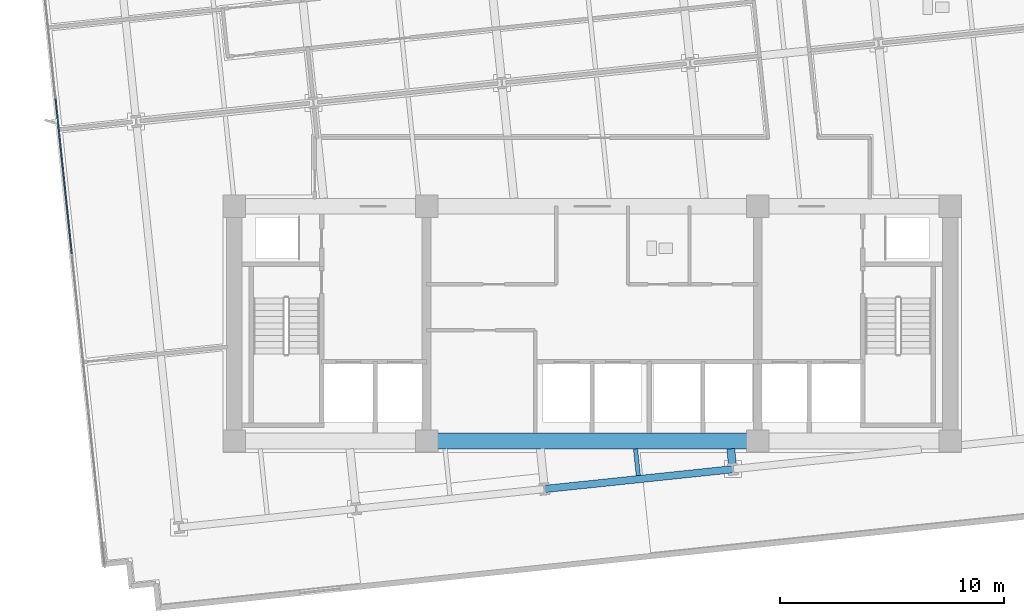
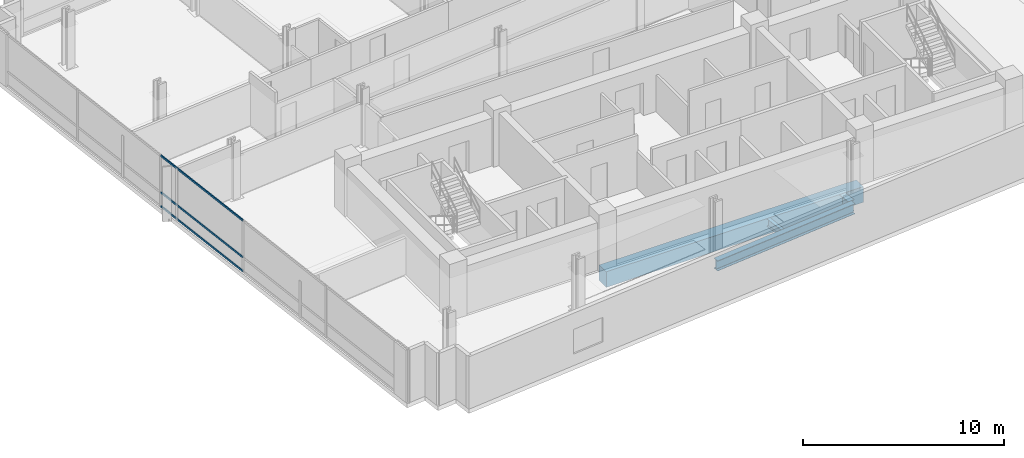
# One storey, part 3 of 20: 4 beams, 3 members, 1 element without a shape of its own.
"""IFC4 building model written with IfcOpenShell, lengths in metres."""

from ifc_helpers import new_model, si_unit, direction, frame, origin, origin_2d, place, context, subcontext, project, spatial, rectangle, i_section, extrude, material, material_profile, profile_set, type_object, element, aggregate, save


model = new_model("IFC4")

# Units and contexts
model_context = context("Model", 3, precision=1e-05, world=origin(), true_north=direction((0.0, 1.0)))
body_context = subcontext(model_context, "Body", "Model", "MODEL_VIEW")
ifc_project = project(units=[si_unit("LENGTHUNIT", "METRE"), si_unit("AREAUNIT", "SQUARE_METRE"), si_unit("VOLUMEUNIT", "CUBIC_METRE"), si_unit("PLANEANGLEUNIT", "RADIAN"), si_unit("MASSUNIT", "GRAM", prefix="KILO")], contexts=[model_context])

# Site, building, storey
site_placement = place(None, origin())
site = spatial("IfcSite", under=ifc_project, at=site_placement, CompositionType="ELEMENT")
building_placement = place(site_placement, origin())
building = spatial("IfcBuilding", under=site, at=building_placement, Name="Solmavex Isthmus Hotel", CompositionType="ELEMENT")
storey_placement = place(building_placement, frame((0.0, 0.0, 109.800048828125)))
storey = spatial("IfcBuildingStorey", under=building, at=storey_placement, Name="L29", CompositionType="ELEMENT", Elevation=109.800048828125)

# Beams
ifc_material_1 = material(Name="Steel ASTM A992 Grade 50", Category="steel")
ifc_material_profile_1 = material_profile(ifc_material_1, i_section(OverallWidth=0.354736328125, OverallDepth=0.695556640625, WebThickness=0.015380859375, FlangeThickness=0.02490234375, FilletRadius=0.017822265625, at=origin_2d()), Name="W27X146")
ifc_profile_set_1 = profile_set([ifc_material_profile_1], Name="Steel ASTM A992 Grade 50")
beam_type_1 = type_object("IfcBeamType", Name="BM-BG-W27X146", PredefinedType="BEAM", material=ifc_profile_set_1)
beam_1_placement = place(storey_placement, frame((6.27099609375, -14.09912109375, -0.60791015625), z_axis=(-0.104381041728, 0.99453737895, 0.0), x_axis=(-0.99453737895, -0.104381041728, 0.0)))
element("IfcBeam", 1, at=beam_1_placement, inside=storey, type_object=beam_type_1, Name="Floor Beam L29-VG36", PredefinedType="BEAM", context=body_context, shape_type="SweptSolid", body=[
    extrude(i_section(OverallWidth=0.354736328125, OverallDepth=0.695556640625, WebThickness=0.015380859375, FlangeThickness=0.02490234375, FilletRadius=0.017822265625, at=origin_2d()), origin(), (0.0, 0.0, 1.0), 0.753173828125),
])
ifc_material_profile_2 = material_profile(ifc_material_1, i_section(OverallWidth=0.1904296875, OverallDepth=0.456787109375, WebThickness=0.009033203125, FlangeThickness=0.014404296875, FilletRadius=0.0126953125, at=origin_2d()), Name="W18X50")
ifc_profile_set_2 = profile_set([ifc_material_profile_2], Name="Steel ASTM A992 Grade 50")
beam_type_2 = type_object("IfcBeamType", Name="BM-BJ-W18X50", PredefinedType="JOIST", material=ifc_profile_set_2)
beam_2_placement = place(storey_placement, frame((2.061279296875, -14.54150390625, -0.488525390625), z_axis=(-0.104546872872, 0.994519960269, 0.0), x_axis=(-0.994519960269, -0.104546872872, 0.0)))
element("IfcBeam", 2, at=beam_2_placement, inside=storey, type_object=beam_type_2, Name="Secondary Floor Joist L29-J09", PredefinedType="JOIST", context=body_context, shape_type="SweptSolid", body=[
    extrude(i_section(OverallWidth=0.1904296875, OverallDepth=0.456787109375, WebThickness=0.009033203125, FlangeThickness=0.014404296875, FilletRadius=0.0126953125, at=origin_2d()), origin(), (0.0, 0.0, 1.0), 1.197998046875),
])
ifc_material_2 = material(Name="Concrete C60/75", Category="concrete")
ifc_material_profile_3 = material_profile(ifc_material_2, rectangle(XDim=0.699951171875, YDim=0.949951171875, at=origin_2d()), Name="RC700X950")
ifc_profile_set_3 = profile_set([ifc_material_profile_3], Name="Concrete C60/75")
beam_type_3 = type_object("IfcBeamType", Name="BM-CB-700X950", PredefinedType="BEAM", material=ifc_profile_set_3)
beam_3_placement = place(storey_placement, frame((-7.39990234375, -13.0, -0.735107421875), z_axis=(1.0, 0.0, 0.0), x_axis=(0.0, 1.0, 0.0)))
element("IfcBeam", 3, at=beam_3_placement, inside=storey, type_object=beam_type_3, Name="Core Coupling Beam L29-CB2", PredefinedType="BEAM", context=body_context, shape_type="SweptSolid", body=[
    extrude(rectangle(XDim=0.699951171875, YDim=0.949951171875, at=origin_2d()), origin(), (0.0, 0.0, 1.0), 14.7998046875),
])
ifc_material_profile_4 = material_profile(ifc_material_1, i_section(OverallWidth=0.326416015625, OverallDepth=0.621826171875, WebThickness=0.015380859375, FlangeThickness=0.0244140625, FilletRadius=0.01513671875, at=origin_2d()), Name="W24X131")
ifc_profile_set_4 = profile_set([ifc_material_profile_4], Name="Steel ASTM A992 Grade 50")
beam_type_4 = type_object("IfcBeamType", Name="BM-SP-W24X131", PredefinedType="SPANDREL", material=ifc_profile_set_4)
beam_4_placement = place(storey_placement, frame((-2.131591796875, -15.146484375, -0.571044921875), z_axis=(0.994521085209, 0.104536171134, 0.0), x_axis=(-0.104536171134, 0.994521085209, 0.0)))
element("IfcBeam", 4, at=beam_4_placement, inside=storey, type_object=beam_type_4, Name="Floor Girder L29-UG03", PredefinedType="SPANDREL", context=body_context, shape_type="SweptSolid", body=[
    extrude(i_section(OverallWidth=0.326416015625, OverallDepth=0.621826171875, WebThickness=0.015380859375, FlangeThickness=0.0244140625, FilletRadius=0.01513671875, at=origin_2d()), origin(), (0.0, 0.0, 1.0), 8.466064453125),
])

# Curtain wall, members
ifc_material_3 = material(Name="Aluminium alloy 6063-T6", Category="aluminium")
curtain_wall_type = type_object("IfcCurtainWallType", Name="CW-SYS-06", PredefinedType="NOTDEFINED", material=ifc_material_3)
curtain_wall_placement = place(storey_placement, origin())
curtain_wall = element("IfcCurtainWall", 5, at=curtain_wall_placement, inside=storey, type_object=curtain_wall_type, Name="Stick Curtain Wall CWL-L29-W1", PredefinedType="NOTDEFINED")
ifc_material_profile_5 = material_profile(ifc_material_3, rectangle(XDim=0.06005859375, YDim=0.114990234375, at=origin_2d()), Name="CWT-60X115")
ifc_profile_set_5 = profile_set([ifc_material_profile_5], Name="Aluminium alloy 6063-T6")
member_type = type_object("IfcMemberType", Name="CW-SYS-06-TRN", PredefinedType="USERDEFINED", material=ifc_profile_set_5)
member_1_placement = place(storey_placement, frame((-23.2607421875, -4.62744140625, 0.057373046875), z_axis=(-0.104531402636, 0.994521586424, 0.0), x_axis=(-0.994521586424, -0.104531402636, 0.0)))
member_1 = element("IfcMember", 6, at=member_1_placement, type_object=member_type, Name="CW-06 transom 3.1", ObjectType="TRANSOM", PredefinedType="USERDEFINED", context=body_context, shape_type="SweptSolid", body=[
    extrude(rectangle(XDim=0.06005859375, YDim=0.114990234375, at=origin_2d()), origin(), (0.0, 0.0, 1.0), 6.9599609375),
])
member_2_placement = place(storey_placement, frame((-23.2607421875, -4.62744140625, 0.89990234375), z_axis=(-0.104531402636, 0.994521586424, 0.0), x_axis=(-0.994521586424, -0.104531402636, 0.0)))
member_2 = element("IfcMember", 7, at=member_2_placement, type_object=member_type, Name="CW-06 transom 3.2", ObjectType="TRANSOM", PredefinedType="USERDEFINED", context=body_context, shape_type="SweptSolid", body=[
    extrude(rectangle(XDim=0.06005859375, YDim=0.114990234375, at=origin_2d()), origin(), (0.0, 0.0, 1.0), 6.9599609375),
])
member_3_placement = place(storey_placement, frame((-23.2607421875, -4.62744140625, 3.132568359375), z_axis=(-0.104531402636, 0.994521586424, 0.0), x_axis=(-0.994521586424, -0.104531402636, 0.0)))
member_3 = element("IfcMember", 8, at=member_3_placement, type_object=member_type, Name="CW-06 transom 3.3", ObjectType="TRANSOM", PredefinedType="USERDEFINED", context=body_context, shape_type="SweptSolid", body=[
    extrude(rectangle(XDim=0.06005859375, YDim=0.114990234375, at=origin_2d()), origin(), (0.0, 0.0, 1.0), 6.9599609375),
])
aggregate(curtain_wall, [member_1, member_2, member_3])

save(model, "model.ifc")
